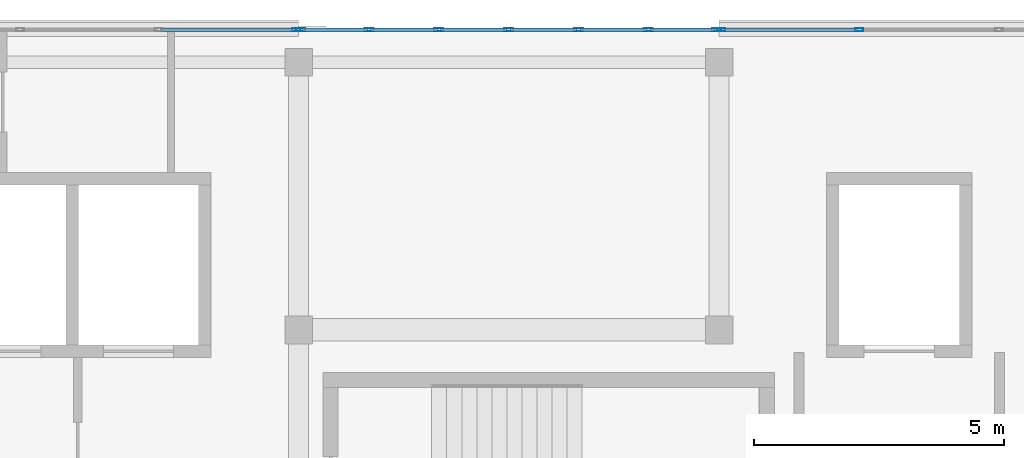
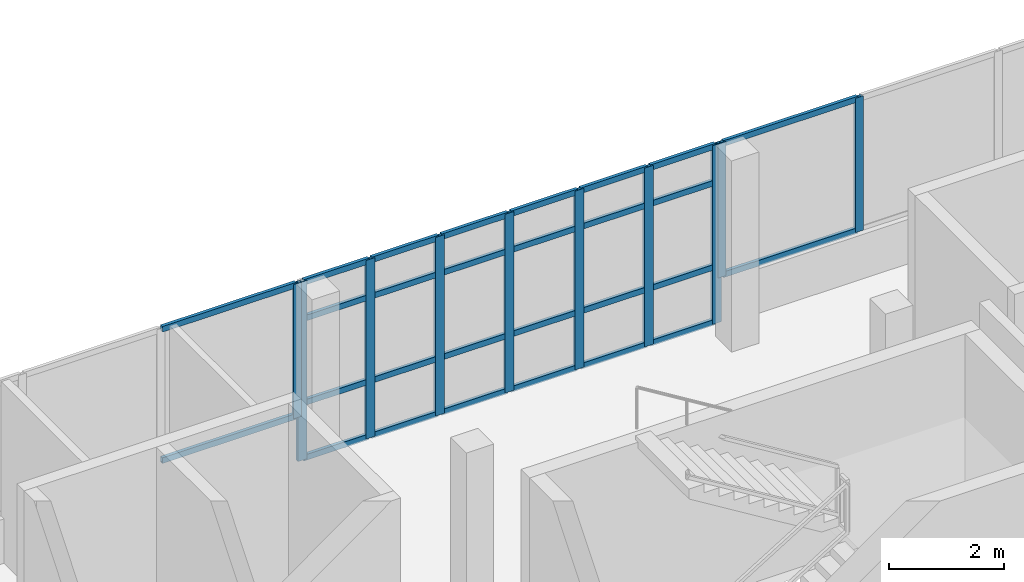
# One storey, part 36 of 66: 38 members, 3 elements without a shape of their own.
"""IFC4 building model written with IfcOpenShell, lengths in metres."""

from ifc_helpers import new_model, si_unit, direction, frame, origin, origin_2d, place, context, subcontext, project, spatial, hollow_rectangle, extrude, material, material_profile, profile_set, type_object, element, aggregate, save


model = new_model("IFC4")

# Units and contexts
model_context = context("Model", 3, precision=1e-05, world=origin(), true_north=direction((0.0, 1.0)))
body_context = subcontext(model_context, "Body", "Model", "MODEL_VIEW")
ifc_project = project(units=[si_unit("LENGTHUNIT", "METRE"), si_unit("AREAUNIT", "SQUARE_METRE"), si_unit("VOLUMEUNIT", "CUBIC_METRE"), si_unit("PLANEANGLEUNIT", "RADIAN"), si_unit("MASSUNIT", "GRAM", prefix="KILO")], contexts=[model_context])

# Site, building, storey
site_placement = place(None, origin())
site = spatial("IfcSite", under=ifc_project, at=site_placement, CompositionType="ELEMENT")
building_placement = place(site_placement, origin())
building = spatial("IfcBuilding", under=site, at=building_placement, Name="Selatvlak General Hospital", CompositionType="ELEMENT")
storey_placement = place(building_placement, frame((0.0, 0.0, 31.35009765625)))
storey = spatial("IfcBuildingStorey", under=building, at=storey_placement, Name="L07", CompositionType="ELEMENT", Elevation=31.35009765625)

# Curtain wall, member
ifc_material_1 = material(Name="Solar-control Low-E double glazing", Category="glass")
curtain_wall_type_1 = type_object("IfcCurtainWallType", Name="CW-CW-01", PredefinedType="USERDEFINED", material=ifc_material_1)
curtain_wall_1_placement = place(storey_placement, origin())
curtain_wall_1 = element("IfcCurtainWall", 1, at=curtain_wall_1_placement, inside=storey, type_object=curtain_wall_type_1, Name="Glazed facade curtain wall CW-L07-0655", ObjectType="UNITISED CURTAIN WALL", PredefinedType="USERDEFINED")
ifc_material_2 = material(Name="Dark anodised aluminium mullion", Category="aluminium")
ifc_material_profile_1 = material_profile(ifc_material_2, hollow_rectangle(XDim=0.06494140625, YDim=0.159912109375, WallThickness=0.00390625, at=origin_2d()), Name="AL-MUL 65x160x4")
ifc_profile_set_1 = profile_set([ifc_material_profile_1], Name="Dark anodised aluminium mullion")
member_type_1 = type_object("IfcMemberType", Name="CWM-01", PredefinedType="MULLION", material=ifc_profile_set_1)
member_1_placement = place(storey_placement, frame((131.951416015625, 120.0, 0.93994140625), z_axis=(0.0, 0.0, 1.0), x_axis=(0.0, 1.0, 0.0)))
member_1 = element("IfcMember", 2, at=member_1_placement, type_object=member_type_1, Name="CW-01 mullion 4", PredefinedType="MULLION", context=body_context, shape_type="SweptSolid", body=[
    extrude(hollow_rectangle(XDim=0.06494140625, YDim=0.159912109375, WallThickness=0.00390625, at=origin_2d()), origin(), (0.0, 0.0, 1.0), 2.844970703125),
])

# Curtain wall, members
curtain_wall_2_placement = place(storey_placement, origin())
curtain_wall_2 = element("IfcCurtainWall", 3, at=curtain_wall_2_placement, inside=storey, type_object=curtain_wall_type_1, Name="Glazed facade curtain wall CW-L07-0657", ObjectType="UNITISED CURTAIN WALL", PredefinedType="USERDEFINED")
member_2_placement = place(storey_placement, frame((140.446533203125, 120.0, 0.93994140625), z_axis=(0.0, 0.0, 1.0), x_axis=(0.0, 1.0, 0.0)))
member_2 = element("IfcMember", 4, at=member_2_placement, type_object=member_type_1, Name="CW-01 mullion 1", PredefinedType="MULLION", context=body_context, shape_type="SweptSolid", body=[
    extrude(hollow_rectangle(XDim=0.06494140625, YDim=0.159912109375, WallThickness=0.00390625, at=origin_2d()), origin(), (0.0, 0.0, 1.0), 2.844970703125),
])
member_3_placement = place(storey_placement, frame((143.2041015625, 120.0, 0.93994140625), z_axis=(0.0, 0.0, 1.0), x_axis=(0.0, 1.0, 0.0)))
member_3 = element("IfcMember", 5, at=member_3_placement, type_object=member_type_1, Name="CW-01 mullion 2", PredefinedType="MULLION", context=body_context, shape_type="SweptSolid", body=[
    extrude(hollow_rectangle(XDim=0.06494140625, YDim=0.159912109375, WallThickness=0.00390625, at=origin_2d()), origin(), (0.0, 0.0, 1.0), 2.844970703125),
])

curtain_wall_type_2 = type_object("IfcCurtainWallType", Name="CW-CW-04", PredefinedType="USERDEFINED", material=ifc_material_1)
curtain_wall_3_placement = place(storey_placement, origin())
curtain_wall_3 = element("IfcCurtainWall", 6, at=curtain_wall_3_placement, inside=storey, type_object=curtain_wall_type_2, Name="Glazed facade curtain wall CW-L07-0656", ObjectType="STICK GLAZING WALL", PredefinedType="USERDEFINED")
ifc_material_profile_2 = material_profile(ifc_material_2, hollow_rectangle(XDim=0.06494140625, YDim=0.179931640625, WallThickness=0.00439453125, at=origin_2d()), Name="AL-MUL 65x180x4.5")
ifc_profile_set_2 = profile_set([ifc_material_profile_2], Name="Dark anodised aluminium mullion")
member_type_2 = type_object("IfcMemberType", Name="CWM-02", PredefinedType="MULLION", material=ifc_profile_set_2)
member_4_placement = place(storey_placement, frame((132.04638671875, 120.0, 0.0), z_axis=(0.0, 0.0, 1.0), x_axis=(0.0, 1.0, 0.0)))
member_4 = element("IfcMember", 7, at=member_4_placement, type_object=member_type_2, Name="CW-04 mullion 1", PredefinedType="MULLION", context=body_context, shape_type="SweptSolid", body=[
    extrude(hollow_rectangle(XDim=0.06494140625, YDim=0.179931640625, WallThickness=0.00439453125, at=origin_2d()), origin(), (0.0, 0.0, 1.0), 3.784912109375),
])
member_5_placement = place(storey_placement, frame((133.408935546875, 120.0, 0.0), z_axis=(0.0, 0.0, 1.0), x_axis=(0.0, 1.0, 0.0)))
member_5 = element("IfcMember", 8, at=member_5_placement, type_object=member_type_2, Name="CW-04 mullion 2", PredefinedType="MULLION", context=body_context, shape_type="SweptSolid", body=[
    extrude(hollow_rectangle(XDim=0.06494140625, YDim=0.179931640625, WallThickness=0.00439453125, at=origin_2d()), origin(), (0.0, 0.0, 1.0), 3.784912109375),
])
member_6_placement = place(storey_placement, frame((134.803955078125, 120.0, 0.0), z_axis=(0.0, 0.0, 1.0), x_axis=(0.0, 1.0, 0.0)))
member_6 = element("IfcMember", 9, at=member_6_placement, type_object=member_type_2, Name="CW-04 mullion 3", PredefinedType="MULLION", context=body_context, shape_type="SweptSolid", body=[
    extrude(hollow_rectangle(XDim=0.06494140625, YDim=0.179931640625, WallThickness=0.00439453125, at=origin_2d()), origin(), (0.0, 0.0, 1.0), 3.784912109375),
])
member_7_placement = place(storey_placement, frame((136.198974609375, 120.0, 0.0), z_axis=(0.0, 0.0, 1.0), x_axis=(0.0, 1.0, 0.0)))
member_7 = element("IfcMember", 10, at=member_7_placement, type_object=member_type_2, Name="CW-04 mullion 4", PredefinedType="MULLION", context=body_context, shape_type="SweptSolid", body=[
    extrude(hollow_rectangle(XDim=0.06494140625, YDim=0.179931640625, WallThickness=0.00439453125, at=origin_2d()), origin(), (0.0, 0.0, 1.0), 3.784912109375),
])
member_8_placement = place(storey_placement, frame((137.593994140625, 120.0, 0.0), z_axis=(0.0, 0.0, 1.0), x_axis=(0.0, 1.0, 0.0)))
member_8 = element("IfcMember", 11, at=member_8_placement, type_object=member_type_2, Name="CW-04 mullion 5", PredefinedType="MULLION", context=body_context, shape_type="SweptSolid", body=[
    extrude(hollow_rectangle(XDim=0.06494140625, YDim=0.179931640625, WallThickness=0.00439453125, at=origin_2d()), origin(), (0.0, 0.0, 1.0), 3.784912109375),
])
member_9_placement = place(storey_placement, frame((138.989013671875, 120.0, 0.0), z_axis=(0.0, 0.0, 1.0), x_axis=(0.0, 1.0, 0.0)))
member_9 = element("IfcMember", 12, at=member_9_placement, type_object=member_type_2, Name="CW-04 mullion 6", PredefinedType="MULLION", context=body_context, shape_type="SweptSolid", body=[
    extrude(hollow_rectangle(XDim=0.06494140625, YDim=0.179931640625, WallThickness=0.00439453125, at=origin_2d()), origin(), (0.0, 0.0, 1.0), 3.784912109375),
])
member_10_placement = place(storey_placement, frame((140.3515625, 120.0, 0.0), z_axis=(0.0, 0.0, 1.0), x_axis=(0.0, 1.0, 0.0)))
member_10 = element("IfcMember", 13, at=member_10_placement, type_object=member_type_2, Name="CW-04 mullion 7", PredefinedType="MULLION", context=body_context, shape_type="SweptSolid", body=[
    extrude(hollow_rectangle(XDim=0.06494140625, YDim=0.179931640625, WallThickness=0.00439453125, at=origin_2d()), origin(), (0.0, 0.0, 1.0), 3.784912109375),
])

# Member
ifc_material_profile_3 = material_profile(ifc_material_2, hollow_rectangle(XDim=0.06494140625, YDim=0.1201171875, WallThickness=0.00390625, at=origin_2d()), Name="AL-TRN 65x120x4")
ifc_profile_set_3 = profile_set([ifc_material_profile_3], Name="Dark anodised aluminium mullion")
member_type_3 = type_object("IfcMemberType", Name="CWT-01", PredefinedType="USERDEFINED", material=ifc_profile_set_3)
member_11_placement = place(storey_placement, frame((129.2431640625, 120.0, 0.972412109375), z_axis=(1.0, 0.0, 0.0), x_axis=(0.0, 1.0, 0.0)))
member_11 = element("IfcMember", 14, at=member_11_placement, type_object=member_type_3, Name="CW-01 transom 3.1", ObjectType="TRANSOM", PredefinedType="USERDEFINED", context=body_context, shape_type="SweptSolid", body=[
    extrude(hollow_rectangle(XDim=0.06494140625, YDim=0.1201171875, WallThickness=0.00390625, at=origin_2d()), origin(), (0.0, 0.0, 1.0), 2.67578125),
])

member_12_placement = place(storey_placement, frame((129.2431640625, 120.0, 3.75244140625), z_axis=(1.0, 0.0, 0.0), x_axis=(0.0, 1.0, 0.0)))
member_12 = element("IfcMember", 15, at=member_12_placement, type_object=member_type_3, Name="CW-01 transom 3.2", ObjectType="TRANSOM", PredefinedType="USERDEFINED", context=body_context, shape_type="SweptSolid", body=[
    extrude(hollow_rectangle(XDim=0.06494140625, YDim=0.1201171875, WallThickness=0.00390625, at=origin_2d()), origin(), (0.0, 0.0, 1.0), 2.67578125),
])

aggregate(curtain_wall_1, [member_1, member_11, member_12])

member_13_placement = place(storey_placement, frame((132.0791015625, 120.0, 0.032470703125), z_axis=(1.0, 0.0, 0.0), x_axis=(0.0, 1.0, 0.0)))
member_13 = element("IfcMember", 16, at=member_13_placement, type_object=member_type_3, Name="CW-04 transom 1.1", ObjectType="TRANSOM", PredefinedType="USERDEFINED", context=body_context, shape_type="SweptSolid", body=[
    extrude(hollow_rectangle(XDim=0.06494140625, YDim=0.1201171875, WallThickness=0.00390625, at=origin_2d()), origin(), (0.0, 0.0, 1.0), 1.29736328125),
])

member_14_placement = place(storey_placement, frame((132.0791015625, 120.0, 1.199951171875), z_axis=(1.0, 0.0, 0.0), x_axis=(0.0, 1.0, 0.0)))
member_14 = element("IfcMember", 17, at=member_14_placement, type_object=member_type_3, Name="CW-04 transom 1.2", ObjectType="TRANSOM", PredefinedType="USERDEFINED", context=body_context, shape_type="SweptSolid", body=[
    extrude(hollow_rectangle(XDim=0.06494140625, YDim=0.1201171875, WallThickness=0.00390625, at=origin_2d()), origin(), (0.0, 0.0, 1.0), 1.29736328125),
])

member_15_placement = place(storey_placement, frame((132.0791015625, 120.0, 2.98486328125), z_axis=(1.0, 0.0, 0.0), x_axis=(0.0, 1.0, 0.0)))
member_15 = element("IfcMember", 18, at=member_15_placement, type_object=member_type_3, Name="CW-04 transom 1.3", ObjectType="TRANSOM", PredefinedType="USERDEFINED", context=body_context, shape_type="SweptSolid", body=[
    extrude(hollow_rectangle(XDim=0.06494140625, YDim=0.1201171875, WallThickness=0.00390625, at=origin_2d()), origin(), (0.0, 0.0, 1.0), 1.29736328125),
])

member_16_placement = place(storey_placement, frame((132.0791015625, 120.0, 3.75244140625), z_axis=(1.0, 0.0, 0.0), x_axis=(0.0, 1.0, 0.0)))
member_16 = element("IfcMember", 19, at=member_16_placement, type_object=member_type_3, Name="CW-04 transom 1.4", ObjectType="TRANSOM", PredefinedType="USERDEFINED", context=body_context, shape_type="SweptSolid", body=[
    extrude(hollow_rectangle(XDim=0.06494140625, YDim=0.1201171875, WallThickness=0.00390625, at=origin_2d()), origin(), (0.0, 0.0, 1.0), 1.29736328125),
])

member_17_placement = place(storey_placement, frame((133.44140625, 120.0, 0.032470703125), z_axis=(1.0, 0.0, 0.0), x_axis=(0.0, 1.0, 0.0)))
member_17 = element("IfcMember", 20, at=member_17_placement, type_object=member_type_3, Name="CW-04 transom 2.1", ObjectType="TRANSOM", PredefinedType="USERDEFINED", context=body_context, shape_type="SweptSolid", body=[
    extrude(hollow_rectangle(XDim=0.06494140625, YDim=0.1201171875, WallThickness=0.00390625, at=origin_2d()), origin(), (0.0, 0.0, 1.0), 1.330078125),
])

member_18_placement = place(storey_placement, frame((133.44140625, 120.0, 1.199951171875), z_axis=(1.0, 0.0, 0.0), x_axis=(0.0, 1.0, 0.0)))
member_18 = element("IfcMember", 21, at=member_18_placement, type_object=member_type_3, Name="CW-04 transom 2.2", ObjectType="TRANSOM", PredefinedType="USERDEFINED", context=body_context, shape_type="SweptSolid", body=[
    extrude(hollow_rectangle(XDim=0.06494140625, YDim=0.1201171875, WallThickness=0.00390625, at=origin_2d()), origin(), (0.0, 0.0, 1.0), 1.330078125),
])

member_19_placement = place(storey_placement, frame((133.44140625, 120.0, 2.98486328125), z_axis=(1.0, 0.0, 0.0), x_axis=(0.0, 1.0, 0.0)))
member_19 = element("IfcMember", 22, at=member_19_placement, type_object=member_type_3, Name="CW-04 transom 2.3", ObjectType="TRANSOM", PredefinedType="USERDEFINED", context=body_context, shape_type="SweptSolid", body=[
    extrude(hollow_rectangle(XDim=0.06494140625, YDim=0.1201171875, WallThickness=0.00390625, at=origin_2d()), origin(), (0.0, 0.0, 1.0), 1.330078125),
])

member_20_placement = place(storey_placement, frame((133.44140625, 120.0, 3.75244140625), z_axis=(1.0, 0.0, 0.0), x_axis=(0.0, 1.0, 0.0)))
member_20 = element("IfcMember", 23, at=member_20_placement, type_object=member_type_3, Name="CW-04 transom 2.4", ObjectType="TRANSOM", PredefinedType="USERDEFINED", context=body_context, shape_type="SweptSolid", body=[
    extrude(hollow_rectangle(XDim=0.06494140625, YDim=0.1201171875, WallThickness=0.00390625, at=origin_2d()), origin(), (0.0, 0.0, 1.0), 1.330078125),
])

member_21_placement = place(storey_placement, frame((134.83642578125, 120.0, 0.032470703125), z_axis=(1.0, 0.0, 0.0), x_axis=(0.0, 1.0, 0.0)))
member_21 = element("IfcMember", 24, at=member_21_placement, type_object=member_type_3, Name="CW-04 transom 3.1", ObjectType="TRANSOM", PredefinedType="USERDEFINED", context=body_context, shape_type="SweptSolid", body=[
    extrude(hollow_rectangle(XDim=0.06494140625, YDim=0.1201171875, WallThickness=0.00390625, at=origin_2d()), origin(), (0.0, 0.0, 1.0), 1.330078125),
])

member_22_placement = place(storey_placement, frame((134.83642578125, 120.0, 1.199951171875), z_axis=(1.0, 0.0, 0.0), x_axis=(0.0, 1.0, 0.0)))
member_22 = element("IfcMember", 25, at=member_22_placement, type_object=member_type_3, Name="CW-04 transom 3.2", ObjectType="TRANSOM", PredefinedType="USERDEFINED", context=body_context, shape_type="SweptSolid", body=[
    extrude(hollow_rectangle(XDim=0.06494140625, YDim=0.1201171875, WallThickness=0.00390625, at=origin_2d()), origin(), (0.0, 0.0, 1.0), 1.330078125),
])

member_23_placement = place(storey_placement, frame((134.83642578125, 120.0, 2.98486328125), z_axis=(1.0, 0.0, 0.0), x_axis=(0.0, 1.0, 0.0)))
member_23 = element("IfcMember", 26, at=member_23_placement, type_object=member_type_3, Name="CW-04 transom 3.3", ObjectType="TRANSOM", PredefinedType="USERDEFINED", context=body_context, shape_type="SweptSolid", body=[
    extrude(hollow_rectangle(XDim=0.06494140625, YDim=0.1201171875, WallThickness=0.00390625, at=origin_2d()), origin(), (0.0, 0.0, 1.0), 1.330078125),
])

member_24_placement = place(storey_placement, frame((134.83642578125, 120.0, 3.75244140625), z_axis=(1.0, 0.0, 0.0), x_axis=(0.0, 1.0, 0.0)))
member_24 = element("IfcMember", 27, at=member_24_placement, type_object=member_type_3, Name="CW-04 transom 3.4", ObjectType="TRANSOM", PredefinedType="USERDEFINED", context=body_context, shape_type="SweptSolid", body=[
    extrude(hollow_rectangle(XDim=0.06494140625, YDim=0.1201171875, WallThickness=0.00390625, at=origin_2d()), origin(), (0.0, 0.0, 1.0), 1.330078125),
])

member_25_placement = place(storey_placement, frame((136.2314453125, 120.0, 0.032470703125), z_axis=(1.0, 0.0, 0.0), x_axis=(0.0, 1.0, 0.0)))
member_25 = element("IfcMember", 28, at=member_25_placement, type_object=member_type_3, Name="CW-04 transom 4.1", ObjectType="TRANSOM", PredefinedType="USERDEFINED", context=body_context, shape_type="SweptSolid", body=[
    extrude(hollow_rectangle(XDim=0.06494140625, YDim=0.1201171875, WallThickness=0.00390625, at=origin_2d()), origin(), (0.0, 0.0, 1.0), 1.330078125),
])

member_26_placement = place(storey_placement, frame((136.2314453125, 120.0, 1.199951171875), z_axis=(1.0, 0.0, 0.0), x_axis=(0.0, 1.0, 0.0)))
member_26 = element("IfcMember", 29, at=member_26_placement, type_object=member_type_3, Name="CW-04 transom 4.2", ObjectType="TRANSOM", PredefinedType="USERDEFINED", context=body_context, shape_type="SweptSolid", body=[
    extrude(hollow_rectangle(XDim=0.06494140625, YDim=0.1201171875, WallThickness=0.00390625, at=origin_2d()), origin(), (0.0, 0.0, 1.0), 1.330078125),
])

member_27_placement = place(storey_placement, frame((136.2314453125, 120.0, 2.98486328125), z_axis=(1.0, 0.0, 0.0), x_axis=(0.0, 1.0, 0.0)))
member_27 = element("IfcMember", 30, at=member_27_placement, type_object=member_type_3, Name="CW-04 transom 4.3", ObjectType="TRANSOM", PredefinedType="USERDEFINED", context=body_context, shape_type="SweptSolid", body=[
    extrude(hollow_rectangle(XDim=0.06494140625, YDim=0.1201171875, WallThickness=0.00390625, at=origin_2d()), origin(), (0.0, 0.0, 1.0), 1.330078125),
])

member_28_placement = place(storey_placement, frame((136.2314453125, 120.0, 3.75244140625), z_axis=(1.0, 0.0, 0.0), x_axis=(0.0, 1.0, 0.0)))
member_28 = element("IfcMember", 31, at=member_28_placement, type_object=member_type_3, Name="CW-04 transom 4.4", ObjectType="TRANSOM", PredefinedType="USERDEFINED", context=body_context, shape_type="SweptSolid", body=[
    extrude(hollow_rectangle(XDim=0.06494140625, YDim=0.1201171875, WallThickness=0.00390625, at=origin_2d()), origin(), (0.0, 0.0, 1.0), 1.330078125),
])

member_29_placement = place(storey_placement, frame((137.62646484375, 120.0, 0.032470703125), z_axis=(1.0, 0.0, 0.0), x_axis=(0.0, 1.0, 0.0)))
member_29 = element("IfcMember", 32, at=member_29_placement, type_object=member_type_3, Name="CW-04 transom 5.1", ObjectType="TRANSOM", PredefinedType="USERDEFINED", context=body_context, shape_type="SweptSolid", body=[
    extrude(hollow_rectangle(XDim=0.06494140625, YDim=0.1201171875, WallThickness=0.00390625, at=origin_2d()), origin(), (0.0, 0.0, 1.0), 1.330078125),
])

member_30_placement = place(storey_placement, frame((137.62646484375, 120.0, 1.199951171875), z_axis=(1.0, 0.0, 0.0), x_axis=(0.0, 1.0, 0.0)))
member_30 = element("IfcMember", 33, at=member_30_placement, type_object=member_type_3, Name="CW-04 transom 5.2", ObjectType="TRANSOM", PredefinedType="USERDEFINED", context=body_context, shape_type="SweptSolid", body=[
    extrude(hollow_rectangle(XDim=0.06494140625, YDim=0.1201171875, WallThickness=0.00390625, at=origin_2d()), origin(), (0.0, 0.0, 1.0), 1.330078125),
])

member_31_placement = place(storey_placement, frame((137.62646484375, 120.0, 2.98486328125), z_axis=(1.0, 0.0, 0.0), x_axis=(0.0, 1.0, 0.0)))
member_31 = element("IfcMember", 34, at=member_31_placement, type_object=member_type_3, Name="CW-04 transom 5.3", ObjectType="TRANSOM", PredefinedType="USERDEFINED", context=body_context, shape_type="SweptSolid", body=[
    extrude(hollow_rectangle(XDim=0.06494140625, YDim=0.1201171875, WallThickness=0.00390625, at=origin_2d()), origin(), (0.0, 0.0, 1.0), 1.330078125),
])

member_32_placement = place(storey_placement, frame((137.62646484375, 120.0, 3.75244140625), z_axis=(1.0, 0.0, 0.0), x_axis=(0.0, 1.0, 0.0)))
member_32 = element("IfcMember", 35, at=member_32_placement, type_object=member_type_3, Name="CW-04 transom 5.4", ObjectType="TRANSOM", PredefinedType="USERDEFINED", context=body_context, shape_type="SweptSolid", body=[
    extrude(hollow_rectangle(XDim=0.06494140625, YDim=0.1201171875, WallThickness=0.00390625, at=origin_2d()), origin(), (0.0, 0.0, 1.0), 1.330078125),
])

member_33_placement = place(storey_placement, frame((139.021484375, 120.0, 0.032470703125), z_axis=(1.0, 0.0, 0.0), x_axis=(0.0, 1.0, 0.0)))
member_33 = element("IfcMember", 36, at=member_33_placement, type_object=member_type_3, Name="CW-04 transom 6.1", ObjectType="TRANSOM", PredefinedType="USERDEFINED", context=body_context, shape_type="SweptSolid", body=[
    extrude(hollow_rectangle(XDim=0.06494140625, YDim=0.1201171875, WallThickness=0.00390625, at=origin_2d()), origin(), (0.0, 0.0, 1.0), 1.297607421875),
])

member_34_placement = place(storey_placement, frame((139.021484375, 120.0, 1.199951171875), z_axis=(1.0, 0.0, 0.0), x_axis=(0.0, 1.0, 0.0)))
member_34 = element("IfcMember", 37, at=member_34_placement, type_object=member_type_3, Name="CW-04 transom 6.2", ObjectType="TRANSOM", PredefinedType="USERDEFINED", context=body_context, shape_type="SweptSolid", body=[
    extrude(hollow_rectangle(XDim=0.06494140625, YDim=0.1201171875, WallThickness=0.00390625, at=origin_2d()), origin(), (0.0, 0.0, 1.0), 1.297607421875),
])

member_35_placement = place(storey_placement, frame((139.021484375, 120.0, 2.98486328125), z_axis=(1.0, 0.0, 0.0), x_axis=(0.0, 1.0, 0.0)))
member_35 = element("IfcMember", 38, at=member_35_placement, type_object=member_type_3, Name="CW-04 transom 6.3", ObjectType="TRANSOM", PredefinedType="USERDEFINED", context=body_context, shape_type="SweptSolid", body=[
    extrude(hollow_rectangle(XDim=0.06494140625, YDim=0.1201171875, WallThickness=0.00390625, at=origin_2d()), origin(), (0.0, 0.0, 1.0), 1.297607421875),
])

member_36_placement = place(storey_placement, frame((139.021484375, 120.0, 3.75244140625), z_axis=(1.0, 0.0, 0.0), x_axis=(0.0, 1.0, 0.0)))
member_36 = element("IfcMember", 39, at=member_36_placement, type_object=member_type_3, Name="CW-04 transom 6.4", ObjectType="TRANSOM", PredefinedType="USERDEFINED", context=body_context, shape_type="SweptSolid", body=[
    extrude(hollow_rectangle(XDim=0.06494140625, YDim=0.1201171875, WallThickness=0.00390625, at=origin_2d()), origin(), (0.0, 0.0, 1.0), 1.297607421875),
])

aggregate(curtain_wall_3, [member_4, member_5, member_6, member_7, member_8, member_9, member_10, member_13, member_14, member_15, member_16, member_17, member_18, member_19, member_20, member_21, member_22, member_23, member_24, member_25, member_26, member_27, member_28, member_29, member_30, member_31, member_32, member_33, member_34, member_35, member_36])

member_37_placement = place(storey_placement, frame((140.47900390625, 120.0, 0.972412109375), z_axis=(1.0, 0.0, 0.0), x_axis=(0.0, 1.0, 0.0)))
member_37 = element("IfcMember", 40, at=member_37_placement, type_object=member_type_3, Name="CW-01 transom 1.1", ObjectType="TRANSOM", PredefinedType="USERDEFINED", context=body_context, shape_type="SweptSolid", body=[
    extrude(hollow_rectangle(XDim=0.06494140625, YDim=0.1201171875, WallThickness=0.00390625, at=origin_2d()), origin(), (0.0, 0.0, 1.0), 2.6923828125),
])

member_38_placement = place(storey_placement, frame((140.47900390625, 120.0, 3.75244140625), z_axis=(1.0, 0.0, 0.0), x_axis=(0.0, 1.0, 0.0)))
member_38 = element("IfcMember", 41, at=member_38_placement, type_object=member_type_3, Name="CW-01 transom 1.2", ObjectType="TRANSOM", PredefinedType="USERDEFINED", context=body_context, shape_type="SweptSolid", body=[
    extrude(hollow_rectangle(XDim=0.06494140625, YDim=0.1201171875, WallThickness=0.00390625, at=origin_2d()), origin(), (0.0, 0.0, 1.0), 2.6923828125),
])

aggregate(curtain_wall_2, [member_2, member_3, member_37, member_38])

save(model, "model.ifc")
